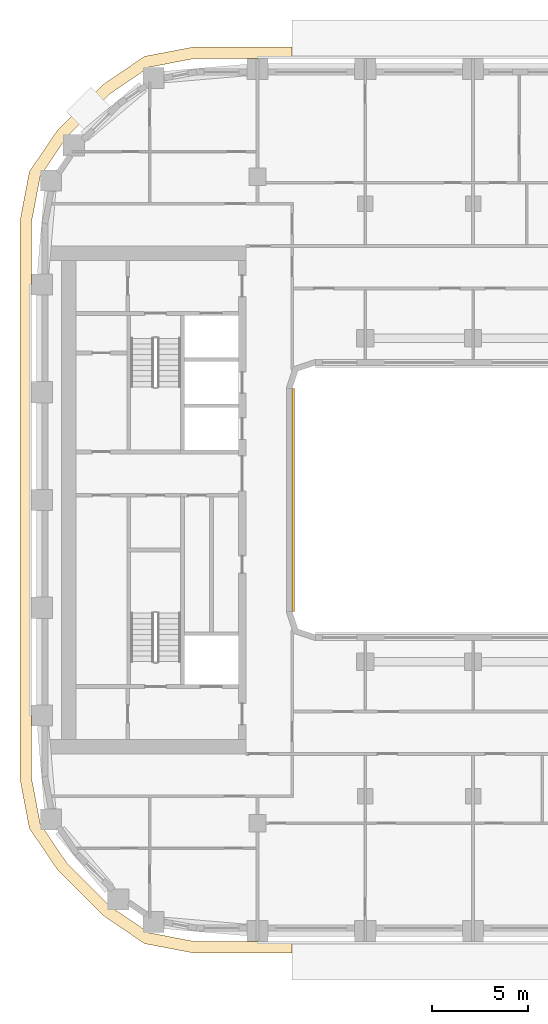
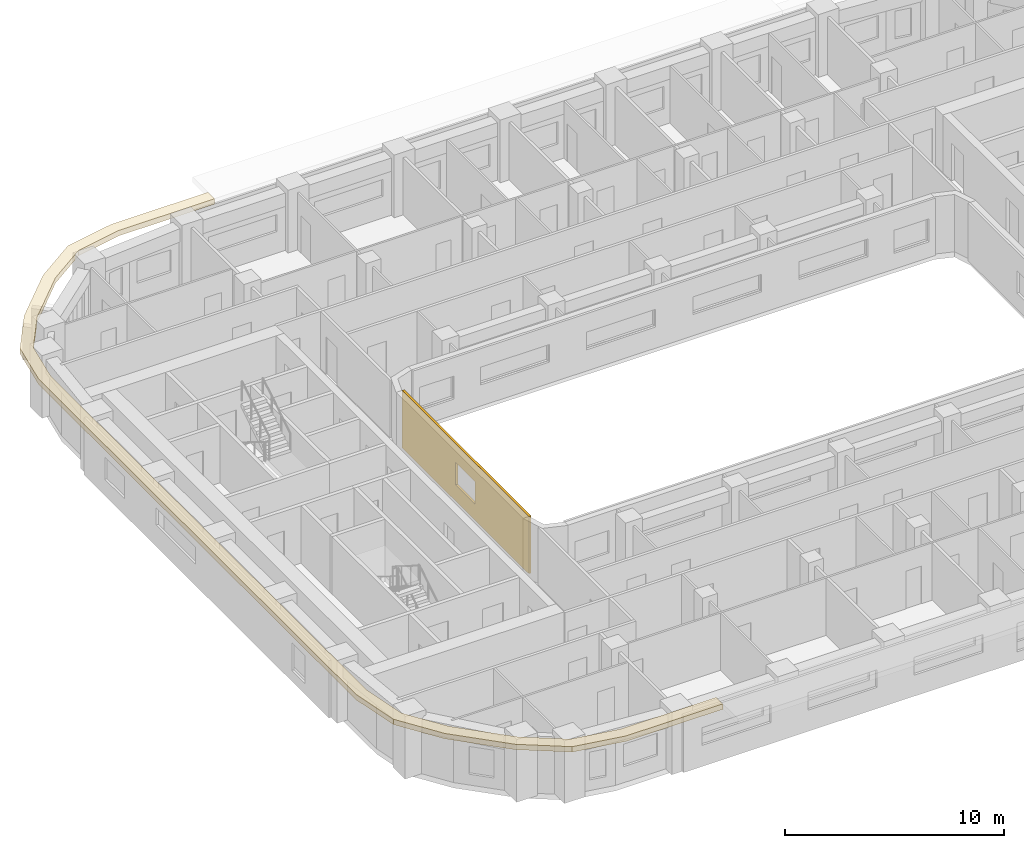
# One storey, part 14 of 22: 2 coverings.
"""IFC4 building model written with IfcOpenShell, lengths in metres."""

from ifc_helpers import new_model, si_unit, direction, frame, origin, place, context, subcontext, project, spatial, polyline, outline, extrude, material, layer, layer_set, type_object, element, save


model = new_model("IFC4")

# Units and contexts
model_context = context("Model", 3, precision=1e-05, world=origin(), true_north=direction((0.0, 1.0)))
body_context = subcontext(model_context, "Body", "Model", "MODEL_VIEW")
ifc_project = project(units=[si_unit("LENGTHUNIT", "METRE"), si_unit("AREAUNIT", "SQUARE_METRE"), si_unit("VOLUMEUNIT", "CUBIC_METRE"), si_unit("PLANEANGLEUNIT", "RADIAN"), si_unit("MASSUNIT", "GRAM", prefix="KILO")], contexts=[model_context])

# Site, building, storey
site_placement = place(None, origin())
site = spatial("IfcSite", under=ifc_project, at=site_placement, CompositionType="ELEMENT")
building_placement = place(site_placement, origin())
building = spatial("IfcBuilding", under=site, at=building_placement, Name="Kiln Ring Residences", CompositionType="ELEMENT")
storey_placement = place(building_placement, frame((0.0, 0.0, 143.10009765625)))
storey = spatial("IfcBuildingStorey", under=building, at=storey_placement, Name="L36", CompositionType="ELEMENT", Elevation=143.10009765625)

# Coverings
ifc_material_1 = material(Name="Brick masonry, dark clay brick", Category="masonry")
ifc_layer_1 = layer(ifc_material_1, 0.1201171875)
ifc_layer_set_1 = layer_set([ifc_layer_1], Name="RAINSCREEN PANEL 120")
covering_type_1 = type_object("IfcCoveringType", Name="RAINSCREEN PANEL 120", PredefinedType="CLADDING", material=ifc_layer_set_1)
covering_1_placement = place(storey_placement, frame((-14.93994140625, -5.800048828125, 0.0), z_axis=(0.0, 0.0, 1.0), x_axis=(0.0, 1.0, 0.0)))
element("IfcCovering", 1, at=covering_1_placement, inside=storey, type_object=covering_type_1, Name="RAINSCREEN L36", PredefinedType="CLADDING", context=body_context, shape_type="SweptSolid", body=[
    extrude(outline(polyline([(0.0, 0.0), (11.60009765625, 0.0), (11.60009765625, 3.199951171875), (0.0, 3.199951171875), (0.0, 0.0)]), holes=[polyline([(4.89990234375, 2.14990234375), (4.89990234375, 0.89990234375), (6.699951171875, 0.89990234375), (6.699951171875, 2.14990234375), (4.89990234375, 2.14990234375)])]), frame((0.0, 0.06005859375, 0.0), z_axis=(0.0, -1.0, 0.0), x_axis=(1.0, 0.0, 0.0)), (0.0, 0.0, 1.0), 0.1201171875),
])
ifc_material_2 = material(Name="Black powder-coated steel", Category="steel")
ifc_layer_2 = layer(ifc_material_2, 0.300048828125)
ifc_layer_set_2 = layer_set([ifc_layer_2], Name="SUNSHADE FIN 600")
covering_type_2 = type_object("IfcCoveringType", Name="SUNSHADE FIN 600", PredefinedType="CLADDING", material=ifc_layer_set_2)
covering_2_placement = place(storey_placement, frame((0.0, 0.0, 3.199951171875)))
element("IfcCovering", 2, at=covering_2_placement, inside=storey, type_object=covering_type_2, Name="SUNSHADE FIN L36", PredefinedType="CLADDING", context=body_context, shape_type="SweptSolid", body=[
    extrude(outline(polyline([(-29.14990234375, -14.5087890625), (-28.66064453125, -17.07373046875), (-27.193115234375, -19.2333984375), (-24.83349609375, -21.593017578125), (-22.673583984375, -23.060791015625), (-20.108642578125, -23.550048828125), (-15.0, -23.550048828125), (-15.0, -22.949951171875), (-20.052001953125, -22.949951171875), (-22.439208984375, -22.49462890625), (-24.44921875, -21.128662109375), (-26.728515625, -18.84912109375), (-28.0947265625, -16.839111328125), (-28.550048828125, -14.451904296875), (-28.550048828125, 14.451904296875), (-28.0947265625, 16.839111328125), (-26.728515625, 18.84912109375), (-24.44921875, 21.128662109375), (-22.439208984375, 22.49462890625), (-20.052001953125, 22.949951171875), (-15.0, 22.949951171875), (-15.0, 23.550048828125), (-20.108642578125, 23.550048828125), (-22.673583984375, 23.060791015625), (-24.83349609375, 21.593017578125), (-27.193115234375, 19.2333984375), (-28.66064453125, 17.07373046875), (-29.14990234375, 14.5087890625), (-29.14990234375, -14.5087890625)])), origin(), (0.0, 0.0, 1.0), 0.300048828125),
])

save(model, "model.ifc")
